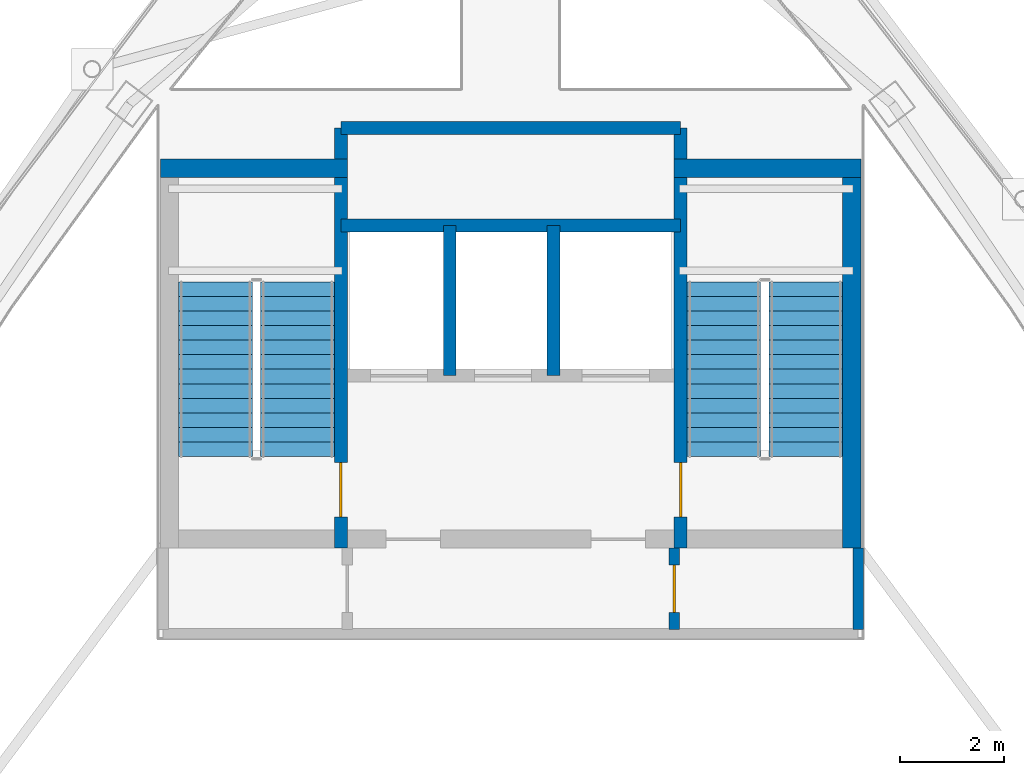
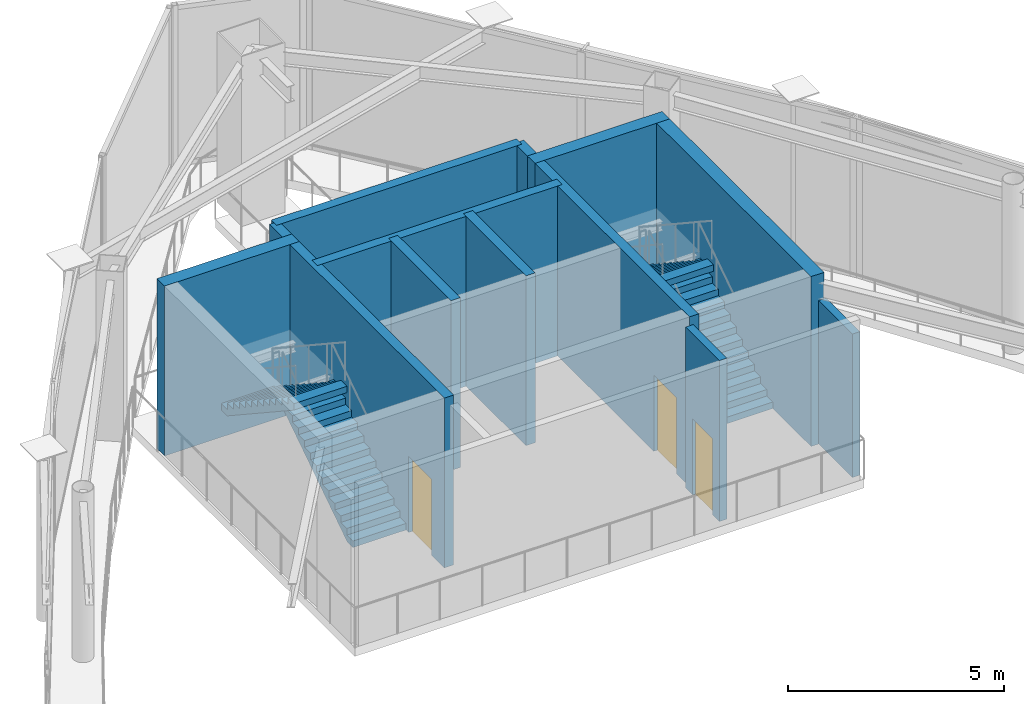
# One storey, part 16 of 19: 11 walls, 4 stair flights, 3 doors, 3 openings, 2 elements without a shape of their own.
"""IFC4 building model written with IfcOpenShell, lengths in metres."""

from ifc_helpers import new_model, si_unit, direction, frame, frame_2d, origin, place, context, subcontext, project, spatial, polyline, rectangle, outline, extrude, material, layer, layer_set, type_object, element, fill, aggregate, save


model = new_model("IFC4")

# Units and contexts
model_context = context("Model", 3, precision=1e-05, world=origin(), true_north=direction((0.0, 1.0)))
body_context = subcontext(model_context, "Body", "Model", "MODEL_VIEW")
ifc_project = project(units=[si_unit("LENGTHUNIT", "METRE"), si_unit("AREAUNIT", "SQUARE_METRE"), si_unit("VOLUMEUNIT", "CUBIC_METRE"), si_unit("PLANEANGLEUNIT", "RADIAN"), si_unit("MASSUNIT", "GRAM", prefix="KILO")], contexts=[model_context])

# Site, building, storey
site_placement = place(None, origin())
site = spatial("IfcSite", under=ifc_project, at=site_placement, CompositionType="ELEMENT")
building_placement = place(site_placement, origin())
building = spatial("IfcBuilding", under=site, at=building_placement, Name="Orvanel Arch Residences", CompositionType="ELEMENT")
storey_placement = place(building_placement, frame((0.0, 0.0, 290.89990234375)))
storey = spatial("IfcBuildingStorey", under=building, at=storey_placement, Name="L82", CompositionType="ELEMENT", Elevation=290.89990234375)

# Wall, opening, door
ifc_material_1 = material(Name="Concrete N50 (50 MPa)", Category="concrete")
ifc_layer_1 = layer(ifc_material_1, 0.25)
ifc_layer_set_1 = layer_set([ifc_layer_1], Name="Concrete N50 (50 MPa)")
wall_type_1 = type_object("IfcWallType", Name="SW-CORE-250", PredefinedType="SHEAR", material=ifc_layer_set_1)
wall_1_placement = place(storey_placement, frame((29.72509765625, 26.550048828125, 0.0), z_axis=(0.0, 0.0, 1.0), x_axis=(0.0, 1.0, 0.0)))
wall_1 = element("IfcWall", 1, at=wall_1_placement, inside=storey, type_object=wall_type_1, Name="L82 West Inner Core Spine Shear Wall", PredefinedType="SHEAR", context=body_context, shape_type="SweptSolid", body=[
    extrude(rectangle(XDim=8.099853515625, YDim=0.25, at=frame_2d((4.0498046875, 0.0))), origin(), (0.0, 0.0, 1.0), 4.800048828125),
])
opening_1_placement = place(wall_1_placement, frame((0.60009765625, 0.0, 0.0)))
opening_1 = element("IfcOpeningElement", 2, at=opening_1_placement, cuts=wall_1, Name="Opening DF-120", PredefinedType="OPENING", context=body_context, shape_type="SweptSolid", body=[
    extrude(rectangle(XDim=1.050048828125, YDim=2.14990234375, at=frame_2d((0.52490234375, 1.074951171875))), frame((0.0, 0.135009765625, 0.0), z_axis=(0.0, -1.0, 0.0), x_axis=(1.0, 0.0, 0.0)), (0.0, 0.0, 1.0), 0.27001953125),
])
ifc_material_2 = material(Name="Galvanised steel fire-resisting door assembly", Category="steel")
door_type_1 = type_object("IfcDoorType", Name="DR-FD120-1050", OperationType="NOTDEFINED", PredefinedType="DOOR", material=ifc_material_2)
door_1_placement = place(opening_1_placement, origin())
door_1 = element("IfcDoor", 3, at=door_1_placement, inside=storey, type_object=door_type_1, Name="DR-L82-ST1 L82 Stair 1 Fire Door", OperationType="SINGLE_SWING_LEFT", OverallHeight=2.14990234375, OverallWidth=1.050048828125, PredefinedType="DOOR", context=body_context, shape_type="SweptSolid", body=[
    extrude(rectangle(XDim=1.050048828125, YDim=2.14990234375, at=frame_2d((0.52490234375, 1.074951171875))), frame((0.0, 0.02490234375, 0.0), z_axis=(0.0, -1.0, 0.0), x_axis=(1.0, 0.0, 0.0)), (0.0, 0.0, 1.0), 0.050048828125),
])
fill(opening_1, door_1)

wall_2_placement = place(storey_placement, frame((36.27490234375, 26.550048828125, 0.0), z_axis=(0.0, 0.0, 1.0), x_axis=(0.0, 1.0, 0.0)))
wall_2 = element("IfcWall", 4, at=wall_2_placement, inside=storey, type_object=wall_type_1, Name="L82 East Inner Core Spine Shear Wall", PredefinedType="SHEAR", context=body_context, shape_type="SweptSolid", body=[
    extrude(rectangle(XDim=8.099853515625, YDim=0.25, at=frame_2d((4.0498046875, 0.0))), origin(), (0.0, 0.0, 1.0), 4.800048828125),
])
opening_2_placement = place(wall_2_placement, frame((0.60009765625, 0.0, 0.0)))
opening_2 = element("IfcOpeningElement", 5, at=opening_2_placement, cuts=wall_2, Name="Opening DF-120", PredefinedType="OPENING", context=body_context, shape_type="SweptSolid", body=[
    extrude(rectangle(XDim=1.050048828125, YDim=2.14990234375, at=frame_2d((0.52490234375, 1.074951171875))), frame((0.0, 0.135009765625, 0.0), z_axis=(0.0, -1.0, 0.0), x_axis=(1.0, 0.0, 0.0)), (0.0, 0.0, 1.0), 0.27001953125),
])
door_2_placement = place(opening_2_placement, origin())
door_2 = element("IfcDoor", 6, at=door_2_placement, inside=storey, type_object=door_type_1, Name="DR-L82-ST2 L82 Stair 2 Fire Door", OperationType="SINGLE_SWING_RIGHT", OverallHeight=2.14990234375, OverallWidth=1.050048828125, PredefinedType="DOOR", context=body_context, shape_type="SweptSolid", body=[
    extrude(rectangle(XDim=1.050048828125, YDim=2.14990234375, at=frame_2d((0.52490234375, 1.074951171875))), frame((0.0, 0.02490234375, 0.0), z_axis=(0.0, -1.0, 0.0), x_axis=(1.0, 0.0, 0.0)), (0.0, 0.0, 1.0), 0.050048828125),
])
fill(opening_2, door_2)

# Walls
wall_3_placement = place(storey_placement, frame((29.72509765625, 32.77490234375, 0.0), z_axis=(0.0, 0.0, 1.0), x_axis=(1.0, 0.0, 0.0)))
element("IfcWall", 7, at=wall_3_placement, inside=storey, type_object=wall_type_1, Name="L82 Emergency Lift Back Core Shear Wall", PredefinedType="SHEAR", context=body_context, shape_type="SweptSolid", body=[
    extrude(rectangle(XDim=6.5498046875, YDim=0.25, at=frame_2d((3.27490234375, 0.0))), origin(), (0.0, 0.0, 1.0), 4.800048828125),
])
for number, where, z_axis, x_axis, name in (
    (8, (31.824951171875, 29.875, 0.0), (0.0, 0.0, 1.0), (0.0, 1.0, 0.0), "L82 Emergency Lift Inter-Shaft Wall F12"),
    (9, (33.824951171875, 29.875, 0.0), (0.0, 0.0, 1.0), (0.0, 1.0, 0.0), "L82 Emergency Lift Inter-Shaft Wall F2G"),
):
    element("IfcWall", number, at=place(storey_placement, frame(where, z_axis=z_axis, x_axis=x_axis)), inside=storey, type_object=wall_type_1, Name=name, PredefinedType="SHEAR", context=body_context, shape_type="SweptSolid", body=[
        extrude(rectangle(XDim=2.89990234375, YDim=0.25, at=frame_2d((1.449951171875, 0.0))), origin(), (0.0, 0.0, 1.0), 4.800048828125),
    ])
wall_4_placement = place(storey_placement, frame((29.72509765625, 34.64990234375, 0.0), z_axis=(0.0, 0.0, 1.0), x_axis=(1.0, 0.0, 0.0)))
element("IfcWall", 10, at=wall_4_placement, inside=storey, type_object=wall_type_1, Name="L82 Core Service Band North Shear Wall", PredefinedType="SHEAR", context=body_context, shape_type="SweptSolid", body=[
    extrude(rectangle(XDim=6.5498046875, YDim=0.25, at=frame_2d((3.27490234375, 0.0))), origin(), (0.0, 0.0, 1.0), 4.800048828125),
])
ifc_layer_2 = layer(ifc_material_1, 0.35009765625)
ifc_layer_set_2 = layer_set([ifc_layer_2], Name="Concrete N50 (50 MPa)")
wall_type_2 = type_object("IfcWallType", Name="SW-CORE-350", PredefinedType="SHEAR", material=ifc_layer_set_2)
wall_5_placement = place(storey_placement, frame((26.25, 33.875, 0.0), z_axis=(0.0, 0.0, 1.0), x_axis=(1.0, 0.0, 0.0)))
element("IfcWall", 11, at=wall_5_placement, inside=storey, type_object=wall_type_2, Name="L82 West Stair North Shear Wall", PredefinedType="SHEAR", context=body_context, shape_type="SweptSolid", body=[
    extrude(rectangle(XDim=3.60009765625, YDim=0.35009765625, at=frame_2d((1.800048828125, 0.0))), origin(), (0.0, 0.0, 1.0), 4.800048828125),
])
wall_6_placement = place(storey_placement, frame((39.574951171875, 26.550048828125, 0.0), z_axis=(0.0, 0.0, 1.0), x_axis=(0.0, 1.0, 0.0)))
element("IfcWall", 12, at=wall_6_placement, inside=storey, type_object=wall_type_2, Name="L82 East Stair Shear Wall", PredefinedType="SHEAR", context=body_context, shape_type="SweptSolid", body=[
    extrude(rectangle(XDim=7.5, YDim=0.35009765625, at=frame_2d((3.75, 0.0))), origin(), (0.0, 0.0, 1.0), 4.800048828125),
])
wall_7_placement = place(storey_placement, frame((36.14990234375, 33.875, 0.0), z_axis=(0.0, 0.0, 1.0), x_axis=(1.0, 0.0, 0.0)))
element("IfcWall", 13, at=wall_7_placement, inside=storey, type_object=wall_type_2, Name="L82 East Stair North Shear Wall", PredefinedType="SHEAR", context=body_context, shape_type="SweptSolid", body=[
    extrude(rectangle(XDim=3.60009765625, YDim=0.35009765625, at=frame_2d((1.800048828125, 0.0))), origin(), (0.0, 0.0, 1.0), 4.800048828125),
])
ifc_material_3 = material(Name="Fire-rated plasterboard lined steel stud partition", Category="steel")
ifc_layer_3 = layer(ifc_material_3, 0.199951171875)
ifc_layer_set_3 = layer_set([ifc_layer_3], Name="Fire-rated plasterboard lined steel stud partition")
wall_type_3 = type_object("IfcWallType", Name="W-PLT-200", PredefinedType="PARTITIONING", material=ifc_layer_set_3)
wall_8_placement = place(storey_placement, frame((39.699951171875, 24.985107421875, 0.0), z_axis=(0.0, 0.0, 1.0), x_axis=(0.0, 1.0, 0.0)))
element("IfcWall", 14, at=wall_8_placement, inside=storey, type_object=wall_type_3, Name="L82 Crown Plant Apron East Wall", PredefinedType="PARTITIONING", context=body_context, shape_type="SweptSolid", body=[
    extrude(rectangle(XDim=1.56494140625, YDim=0.199951171875, at=frame_2d((0.782470703125, 0.0))), origin(), (0.0, 0.0, 1.0), 4.05517578125),
])

# Wall, opening, door
wall_9_placement = place(storey_placement, frame((36.14990234375, 24.985107421875, 0.0), z_axis=(0.0, 0.0, 1.0), x_axis=(0.0, 1.0, 0.0)))
wall_9 = element("IfcWall", 15, at=wall_9_placement, inside=storey, type_object=wall_type_3, Name="L82 East Crown Mechanical Plant Wall", PredefinedType="PARTITIONING", context=body_context, shape_type="SweptSolid", body=[
    extrude(rectangle(XDim=1.56494140625, YDim=0.199951171875, at=frame_2d((0.782470703125, 0.0))), origin(), (0.0, 0.0, 1.0), 4.550048828125),
])
opening_3_placement = place(wall_9_placement, frame((0.322998046875, 0.0, 0.0)))
opening_3 = element("IfcOpeningElement", 16, at=opening_3_placement, cuts=wall_9, Name="Opening DA-092", PredefinedType="OPENING", context=body_context, shape_type="SweptSolid", body=[
    extrude(rectangle(XDim=0.919921875, YDim=2.14990234375, at=frame_2d((0.4599609375, 1.074951171875))), frame((0.0, 0.10986328125, 0.0), z_axis=(0.0, -1.0, 0.0), x_axis=(1.0, 0.0, 0.0)), (0.0, 0.0, 1.0), 0.219970703125),
])
ifc_material_4 = material(Name="Solid-core European oak veneer fire door leaf", Category="wood")
door_type_2 = type_object("IfcDoorType", Name="DR-APT-920", OperationType="NOTDEFINED", PredefinedType="DOOR", material=ifc_material_4)
door_3_placement = place(opening_3_placement, origin())
door_3 = element("IfcDoor", 17, at=door_3_placement, inside=storey, type_object=door_type_2, Name="DR-L82-CRNE L82 East Crown Winter Garden Mechanical Plant Door", OperationType="SINGLE_SWING_RIGHT", OverallHeight=2.14990234375, OverallWidth=0.919921875, PredefinedType="DOOR", context=body_context, shape_type="SweptSolid", body=[
    extrude(rectangle(XDim=0.919921875, YDim=2.14990234375, at=frame_2d((0.4599609375, 1.074951171875))), frame((0.0, 0.02490234375, 0.0), z_axis=(0.0, -1.0, 0.0), x_axis=(1.0, 0.0, 0.0)), (0.0, 0.0, 1.0), 0.050048828125),
])
fill(opening_3, door_3)

# Stair, stair flights
ifc_material_5 = material(Name="Precast concrete N50 (50 MPa)", Category="concrete")
stair_type = type_object("IfcStairType", Name="STR-DOG-184", PredefinedType="USERDEFINED", material=ifc_material_5)
stair_1_placement = place(storey_placement, origin())
stair_1 = element("IfcStair", 18, at=stair_1_placement, inside=storey, type_object=stair_type, Name="L82 Fire-Isolated Core Exit Stair 1", ObjectType="TWO_RETURN_STAIR", PredefinedType="USERDEFINED")
stair_flight_type_1 = type_object("IfcStairFlightType", Name="SFL-C1-184", PredefinedType="STRAIGHT", material=ifc_material_5)
stair_flight_1_placement = place(storey_placement, frame((28.889892578125, 28.320068359375, 0.0), z_axis=(0.0, 0.0, 1.0), x_axis=(0.0, 1.0, 0.0)))
stair_flight_1 = element("IfcStairFlight", 19, at=stair_flight_1_placement, type_object=stair_flight_type_1, Name="ST-1 flight 1", NumberOfRisers=13, NumberOfTreads=12, PredefinedType="STRAIGHT", RiserHeight=0.184615385, TreadLength=0.28, context=body_context, shape_type="SweptSolid", body=[
    extrude(outline(polyline([(0.0, 0.0), (0.0, 0.1845703125), (0.280029296875, 0.1845703125), (0.280029296875, 0.369140625), (0.56005859375, 0.369140625), (0.56005859375, 0.553955078125), (0.840087890625, 0.553955078125), (0.840087890625, 0.738525390625), (1.1201171875, 0.738525390625), (1.1201171875, 0.923095703125), (1.39990234375, 0.923095703125), (1.39990234375, 1.107666015625), (1.679931640625, 1.107666015625), (1.679931640625, 1.292236328125), (1.9599609375, 1.292236328125), (1.9599609375, 1.476806640625), (2.239990234375, 1.476806640625), (2.239990234375, 1.66162109375), (2.52001953125, 1.66162109375), (2.52001953125, 1.84619140625), (2.800048828125, 1.84619140625), (2.800048828125, 2.03076171875), (3.080078125, 2.03076171875), (3.080078125, 2.21533203125), (3.360107421875, 2.21533203125), (3.360107421875, 2.39990234375), (3.360107421875, 2.035888671875), (0.272216796875, 0.0), (0.0, 0.0)])), frame((0.0, 0.7099609375, 0.0), z_axis=(0.0, -1.0, 0.0), x_axis=(1.0, 0.0, 0.0)), (0.0, 0.0, 1.0), 1.419921875),
])
stair_flight_2_placement = place(storey_placement, frame((27.31005859375, 31.679931640625, 2.400146484375), z_axis=(0.0, 0.0, 1.0), x_axis=(0.0, -1.0, 0.0)))
stair_flight_2 = element("IfcStairFlight", 20, at=stair_flight_2_placement, type_object=stair_flight_type_1, Name="ST-1 flight 2", NumberOfRisers=13, NumberOfTreads=12, PredefinedType="STRAIGHT", RiserHeight=0.184615385, TreadLength=0.28, context=body_context, shape_type="SweptSolid", body=[
    extrude(outline(polyline([(0.0, 0.0), (0.0, 0.1845703125), (0.280029296875, 0.1845703125), (0.280029296875, 0.369140625), (0.56005859375, 0.369140625), (0.56005859375, 0.553955078125), (0.840087890625, 0.553955078125), (0.840087890625, 0.738525390625), (1.1201171875, 0.738525390625), (1.1201171875, 0.923095703125), (1.39990234375, 0.923095703125), (1.39990234375, 1.107666015625), (1.679931640625, 1.107666015625), (1.679931640625, 1.292236328125), (1.9599609375, 1.292236328125), (1.9599609375, 1.476806640625), (2.239990234375, 1.476806640625), (2.239990234375, 1.66162109375), (2.52001953125, 1.66162109375), (2.52001953125, 1.84619140625), (2.800048828125, 1.84619140625), (2.800048828125, 2.03076171875), (3.080078125, 2.03076171875), (3.080078125, 2.21533203125), (3.360107421875, 2.21533203125), (3.360107421875, 2.39990234375), (3.360107421875, 2.035888671875), (0.272216796875, 0.0), (0.0, 0.0)])), frame((0.0, 0.7099609375, 0.0), z_axis=(0.0, -1.0, 0.0), x_axis=(1.0, 0.0, 0.0)), (0.0, 0.0, 1.0), 1.419921875),
])
aggregate(stair_1, [stair_flight_1, stair_flight_2])

stair_2_placement = place(storey_placement, origin())
stair_2 = element("IfcStair", 21, at=stair_2_placement, inside=storey, type_object=stair_type, Name="L82 Fire-Isolated Core Exit Stair 2", ObjectType="TWO_RETURN_STAIR", PredefinedType="USERDEFINED")
stair_flight_type_2 = type_object("IfcStairFlightType", Name="SFL-C2-184", PredefinedType="STRAIGHT", material=ifc_material_5)
stair_flight_3_placement = place(storey_placement, frame((38.68994140625, 28.320068359375, 0.0), z_axis=(0.0, 0.0, 1.0), x_axis=(0.0, 1.0, 0.0)))
stair_flight_3 = element("IfcStairFlight", 22, at=stair_flight_3_placement, type_object=stair_flight_type_2, Name="ST-2 flight 1", NumberOfRisers=13, NumberOfTreads=12, PredefinedType="STRAIGHT", RiserHeight=0.184615385, TreadLength=0.28, context=body_context, shape_type="SweptSolid", body=[
    extrude(outline(polyline([(0.0, 0.0), (0.0, 0.1845703125), (0.280029296875, 0.1845703125), (0.280029296875, 0.369140625), (0.56005859375, 0.369140625), (0.56005859375, 0.553955078125), (0.840087890625, 0.553955078125), (0.840087890625, 0.738525390625), (1.1201171875, 0.738525390625), (1.1201171875, 0.923095703125), (1.39990234375, 0.923095703125), (1.39990234375, 1.107666015625), (1.679931640625, 1.107666015625), (1.679931640625, 1.292236328125), (1.9599609375, 1.292236328125), (1.9599609375, 1.476806640625), (2.239990234375, 1.476806640625), (2.239990234375, 1.66162109375), (2.52001953125, 1.66162109375), (2.52001953125, 1.84619140625), (2.800048828125, 1.84619140625), (2.800048828125, 2.03076171875), (3.080078125, 2.03076171875), (3.080078125, 2.21533203125), (3.360107421875, 2.21533203125), (3.360107421875, 2.39990234375), (3.360107421875, 2.035888671875), (0.272216796875, 0.0), (0.0, 0.0)])), frame((0.0, 0.7099609375, 0.0), z_axis=(0.0, -1.0, 0.0), x_axis=(1.0, 0.0, 0.0)), (0.0, 0.0, 1.0), 1.419921875),
])
stair_flight_4_placement = place(storey_placement, frame((37.110107421875, 31.679931640625, 2.400146484375), z_axis=(0.0, 0.0, 1.0), x_axis=(0.0, -1.0, 0.0)))
stair_flight_4 = element("IfcStairFlight", 23, at=stair_flight_4_placement, type_object=stair_flight_type_2, Name="ST-2 flight 2", NumberOfRisers=13, NumberOfTreads=12, PredefinedType="STRAIGHT", RiserHeight=0.184615385, TreadLength=0.28, context=body_context, shape_type="SweptSolid", body=[
    extrude(outline(polyline([(0.0, 0.0), (0.0, 0.1845703125), (0.280029296875, 0.1845703125), (0.280029296875, 0.369140625), (0.56005859375, 0.369140625), (0.56005859375, 0.553955078125), (0.840087890625, 0.553955078125), (0.840087890625, 0.738525390625), (1.1201171875, 0.738525390625), (1.1201171875, 0.923095703125), (1.39990234375, 0.923095703125), (1.39990234375, 1.107666015625), (1.679931640625, 1.107666015625), (1.679931640625, 1.292236328125), (1.9599609375, 1.292236328125), (1.9599609375, 1.476806640625), (2.239990234375, 1.476806640625), (2.239990234375, 1.66162109375), (2.52001953125, 1.66162109375), (2.52001953125, 1.84619140625), (2.800048828125, 1.84619140625), (2.800048828125, 2.03076171875), (3.080078125, 2.03076171875), (3.080078125, 2.21533203125), (3.360107421875, 2.21533203125), (3.360107421875, 2.39990234375), (3.360107421875, 2.035888671875), (0.272216796875, 0.0), (0.0, 0.0)])), frame((0.0, 0.7099609375, 0.0), z_axis=(0.0, -1.0, 0.0), x_axis=(1.0, 0.0, 0.0)), (0.0, 0.0, 1.0), 1.419921875),
])
aggregate(stair_2, [stair_flight_3, stair_flight_4])

save(model, "model.ifc")
